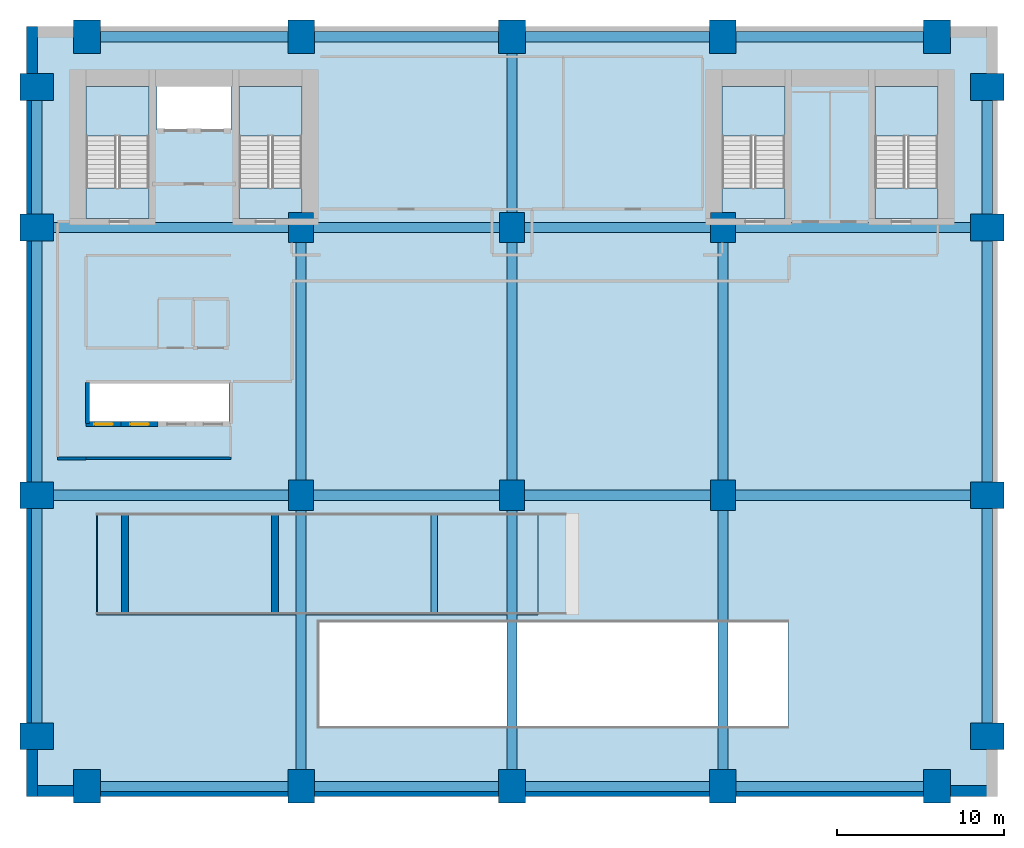
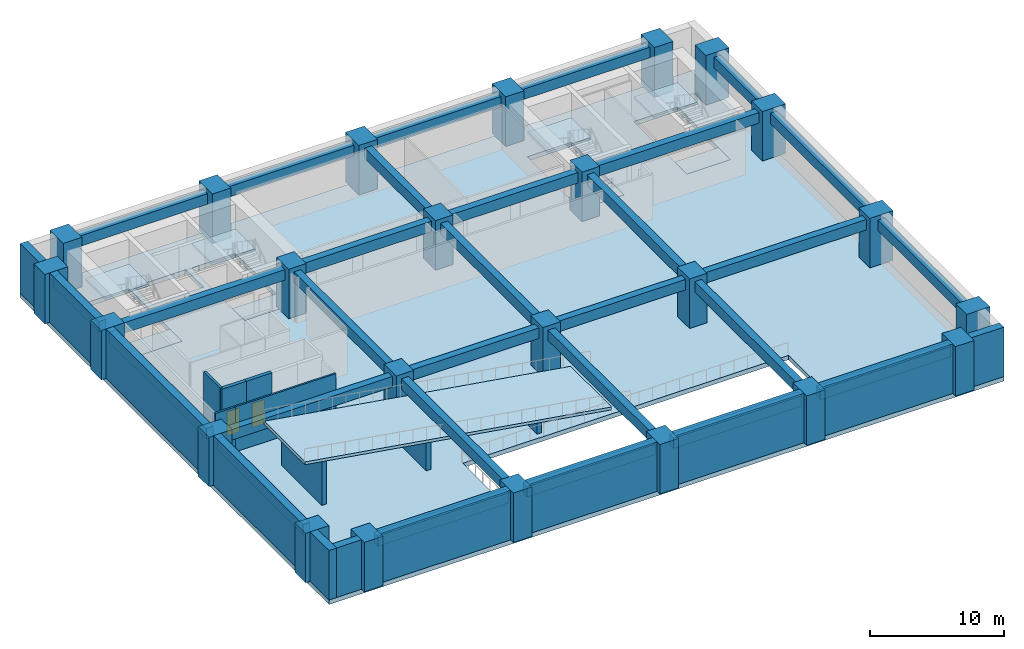
# One storey, part 1 of 6: 29 beams, 24 columns, 10 slabs, 10 walls, 2 doors, 2 openings, 4 elements without a shape of their own.
"""IFC4 building model written with IfcOpenShell, lengths in metres."""

import ifcopenshell
import ifcopenshell.guid

model = None  # the IFC model being written
_history = None  # IfcOwnerHistory: only IFC2X3 demands one
_inside = {}  # id of a spatial element -> (the spatial element, [elements in it])
_under = {}  # id of a project, library or spatial element -> (it, [spatial elements below it])
_declared = {}  # id of a project -> (the project, [libraries it declares])
_typed = {}  # id of a type object -> (the type object, [elements of that type])
_made_of = {}  # id of a material, layer set ... -> (it, [elements and type objects made of it])


def new_model(schema):
    """Start an empty IFC model of exactly this schema.

    Asked for "IFC4X3", IfcOpenShell would pick the latest addendum, in which some entities
    have other attributes; the version numbers below select the first issue.
    IFC2X3 requires an IfcOwnerHistory on every rooted entity: one is made here for all.
    """
    global model, _history
    if schema == "IFC4X3":
        model = ifcopenshell.file(schema_version=(4, 3, 0, 0))
    else:
        model = ifcopenshell.file(schema=schema)
    _inside.clear()
    _under.clear()
    _declared.clear()
    _typed.clear()
    _made_of.clear()
    _history = None
    if model.schema == "IFC2X3":
        org = make("IfcOrganization", Name="unknown")
        user = make(
            "IfcPersonAndOrganization",
            ThePerson=make("IfcPerson", FamilyName="unknown"),
            TheOrganization=org,
        )
        app = make(
            "IfcApplication",
            ApplicationDeveloper=org,
            Version="unknown",
            ApplicationFullName="unknown",
            ApplicationIdentifier="unknown",
        )
        _history = make(
            "IfcOwnerHistory",
            OwningUser=user,
            OwningApplication=app,
            ChangeAction="ADDED",
            CreationDate=0,
        )
    return model


def make(cls, **values):
    """One entity of the class cls with the attributes given. An attribute that is None is left unset."""
    return model.create_entity(
        cls, **{name: value for name, value in values.items() if value is not None}
    )


def rooted(cls, **values):
    """An entity with a GlobalId (a new one), such as an element, a storey or a relation."""
    return make(cls, GlobalId=ifcopenshell.guid.new(), OwnerHistory=_history, **values)


def si_unit(unit_type, name, prefix=None):
    """IfcSIUnit, for example si_unit("LENGTHUNIT", "METRE", prefix="MILLI")."""
    return make("IfcSIUnit", UnitType=unit_type, Prefix=prefix, Name=name)


def assignment(units):
    """IfcUnitAssignment: the units of a project."""
    return None if units is None else make("IfcUnitAssignment", Units=units)


def point(xyz):
    """IfcCartesianPoint."""
    return None if xyz is None else make("IfcCartesianPoint", Coordinates=xyz)


def direction(xyz):
    """IfcDirection."""
    return None if xyz is None else make("IfcDirection", DirectionRatios=xyz)


def frame(location, z_axis=None, x_axis=None):
    """IfcAxis2Placement3D, a coordinate frame: its origin and axes. An axis left out is left unset."""
    return make(
        "IfcAxis2Placement3D",
        Location=point(location),
        Axis=direction(z_axis),
        RefDirection=direction(x_axis),
    )


def frame_2d(location, x_axis=None):
    """IfcAxis2Placement2D, a coordinate frame in the plane: its origin and x axis."""
    return make(
        "IfcAxis2Placement2D", Location=point(location), RefDirection=direction(x_axis)
    )


def origin():
    """The frame at (0, 0, 0) with its axes left unset."""
    return frame((0.0, 0.0, 0.0))


def origin_2d():
    """The frame at (0, 0) in the plane with its x axis left unset."""
    return frame_2d((0.0, 0.0))


def place(relative_to, where):
    """IfcLocalPlacement: puts the frame where relative to a parent placement (None: the world)."""
    return make(
        "IfcLocalPlacement", PlacementRelTo=relative_to, RelativePlacement=where
    )


def context(
    kind, dimensions, precision=None, world=None, true_north=None, identifier=None
):
    """IfcGeometricRepresentationContext, for example the 3D "Model" context."""
    return make(
        "IfcGeometricRepresentationContext",
        ContextIdentifier=identifier,
        ContextType=kind,
        CoordinateSpaceDimension=dimensions,
        Precision=precision,
        WorldCoordinateSystem=world,
        TrueNorth=true_north,
    )


def subcontext(parent, identifier, kind, view, scale=None):
    """IfcGeometricRepresentationSubContext, for example "Body" below "Model"."""
    return make(
        "IfcGeometricRepresentationSubContext",
        ContextIdentifier=identifier,
        ContextType=kind,
        ParentContext=parent,
        TargetScale=scale,
        TargetView=view,
    )


def project(units=None, contexts=None):
    """IfcProject with its units and contexts."""
    return rooted(
        "IfcProject",
        Name="project",
        RepresentationContexts=contexts,
        UnitsInContext=assignment(units),
    )


def spatial(cls, under=None, at=None, **own):
    """A site, building, storey or space (cls), placed at a placement, below another one or the project."""
    s = rooted(cls, ObjectPlacement=at, **own)
    if under is not None:
        _under.setdefault(under.id(), (under, []))[1].append(s)
    return s


def polyline(points):
    """IfcPolyline through the points."""
    return make("IfcPolyline", Points=[point(p) for p in points])


def profile(cls, at=None, kind="AREA", **sizes):
    """A parametric profile (cls). Its sizes go by their IFC names, for example OverallWidth=200.0."""
    return make(cls, ProfileType=kind, Position=at, **sizes)


def rectangle(**sizes):
    """IfcRectangleProfileDef."""
    return profile("IfcRectangleProfileDef", **sizes)


def outline(outer, holes=None, kind="AREA"):
    """IfcArbitraryClosedProfileDef: a profile drawn as a closed curve; with holes, ...WithVoids."""
    if holes is None:
        return make("IfcArbitraryClosedProfileDef", ProfileType=kind, OuterCurve=outer)
    return make(
        "IfcArbitraryProfileDefWithVoids",
        ProfileType=kind,
        OuterCurve=outer,
        InnerCurves=holes,
    )


def extrude(swept, where, along, depth):
    """IfcExtrudedAreaSolid: the profile swept, set in the frame where, extruded along a direction by depth."""
    return make(
        "IfcExtrudedAreaSolid",
        SweptArea=swept,
        Position=where,
        ExtrudedDirection=direction(along),
        Depth=depth,
    )


def shape(context_of_items, identifier, shape_type, items):
    """IfcShapeRepresentation: the items that make up one representation, for example the "Body"."""
    return make(
        "IfcShapeRepresentation",
        ContextOfItems=context_of_items,
        RepresentationIdentifier=identifier,
        RepresentationType=shape_type,
        Items=items,
    )


def material(Name=None, Category=None):
    """IfcMaterial."""
    return make("IfcMaterial", Name=Name, Category=Category)


def layer(
    of_material, thickness, ventilated=None, Name=None, Category=None, Priority=None
):
    """IfcMaterialLayer: one layer of a wall or slab, of a material (None: an air gap)."""
    return make(
        "IfcMaterialLayer",
        Material=of_material,
        LayerThickness=thickness,
        IsVentilated=ventilated,
        Name=Name,
        Category=Category,
        Priority=Priority,
    )


def layer_set(layers, Name=None):
    """IfcMaterialLayerSet."""
    return make("IfcMaterialLayerSet", MaterialLayers=layers, LayerSetName=Name)


def material_profile(
    of_material, cross_section, Name=None, Category=None, Priority=None
):
    """IfcMaterialProfile: a cross section and its material."""
    return make(
        "IfcMaterialProfile",
        Name=Name,
        Material=of_material,
        Profile=cross_section,
        Priority=Priority,
        Category=Category,
    )


def profile_set(profiles, Name=None, composite=None):
    """IfcMaterialProfileSet."""
    return make(
        "IfcMaterialProfileSet",
        Name=Name,
        MaterialProfiles=profiles,
        CompositeProfile=composite,
    )


def made_of(thing, what):
    """Note that an element or type object is made of a material, layer set ...; save() writes the relation."""
    if what is not None:
        _made_of.setdefault(what.id(), (what, []))[1].append(thing)
    return thing


def type_object(cls, material=None, **own):
    """A type object (cls), such as IfcWallType, which elements share."""
    return made_of(rooted(cls, **own), material)


def element(
    cls,
    number,
    at=None,
    inside=None,
    cuts=None,
    type_object=None,
    material=None,
    context=None,
    identifier="Body",
    shape_type=None,
    held_by="IfcProductDefinitionShape",
    body=None,
    shapes=None,
    **own,
):
    """One element of the class cls, such as IfcWall. Its Tag is "e" and its number.

    at: its placement. inside: the storey or other place that contains it. cuts: it is an
    opening in that element (IfcRelVoidsElement). A single representation is given by context,
    identifier, shape_type and body (its items); several are given by shapes. held_by: the class
    of the entity that holds the representations. save() writes the other relations.
    """
    e = rooted(cls, Tag="e%d" % number, ObjectPlacement=at, **own)
    if body is not None:
        shapes = [shape(context, identifier, shape_type, body)]
    if shapes is not None:
        e.Representation = make(held_by, Representations=shapes)
    if inside is not None:
        _inside.setdefault(inside.id(), (inside, []))[1].append(e)
    if cuts is not None:
        rooted(
            "IfcRelVoidsElement", RelatingBuildingElement=cuts, RelatedOpeningElement=e
        )
    if type_object is not None:
        _typed.setdefault(type_object.id(), (type_object, []))[1].append(e)
    return made_of(e, material)


def fill(opening, filler):
    """IfcRelFillsElement: the door or window that sits in an opening."""
    return rooted(
        "IfcRelFillsElement",
        RelatingOpeningElement=opening,
        RelatedBuildingElement=filler,
    )


def aggregate(whole, parts):
    """IfcRelAggregates: a whole, such as a stair, and the parts it consists of."""
    return rooted("IfcRelAggregates", RelatingObject=whole, RelatedObjects=parts)


def save(model, path):
    """Write the relations noted so far, then the file.

    IfcRelAggregates (storeys below a building ...), IfcRelContainedInSpatialStructure (elements
    in a storey), IfcRelDefinesByType, IfcRelAssociatesMaterial and IfcRelDeclares: one each for
    every whole, place, type object, material and project.
    """
    for whole, parts in _under.values():
        aggregate(whole, parts)
    for where, things in _inside.values():
        rooted(
            "IfcRelContainedInSpatialStructure",
            RelatedElements=things,
            RelatingStructure=where,
        )
    for kind, things in _typed.values():
        rooted("IfcRelDefinesByType", RelatedObjects=things, RelatingType=kind)
    for what, things in _made_of.values():
        rooted("IfcRelAssociatesMaterial", RelatedObjects=things, RelatingMaterial=what)
    for by, libraries in _declared.values():
        rooted("IfcRelDeclares", RelatingContext=by, RelatedDefinitions=libraries)
    model.write(path)


model = new_model("IFC4")

# Units and contexts
model_context = context("Model", 3, precision=1e-05, world=origin(), true_north=direction((0.0, 1.0)))
body_context = subcontext(model_context, "Body", "Model", "MODEL_VIEW")
ifc_project = project(units=[si_unit("LENGTHUNIT", "METRE"), si_unit("AREAUNIT", "SQUARE_METRE"), si_unit("VOLUMEUNIT", "CUBIC_METRE"), si_unit("PLANEANGLEUNIT", "RADIAN"), si_unit("MASSUNIT", "GRAM", prefix="KILO")], contexts=[model_context])

# Site, building, storey
site_placement = place(None, origin())
site = spatial("IfcSite", under=ifc_project, at=site_placement, CompositionType="ELEMENT")
building_placement = place(site_placement, origin())
building = spatial("IfcBuilding", under=site, at=building_placement, Name="Sulina Concourse Tower", CompositionType="ELEMENT")
storey_placement = place(building_placement, frame((0.0, 0.0, -4.5)))
storey = spatial("IfcBuildingStorey", under=building, at=storey_placement, Name="B1", CompositionType="ELEMENT", Elevation=-4.5)

# Columns
ifc_material_1 = material(Name="Concrete C80/95", Category="concrete")
ifc_material_profile_1 = material_profile(ifc_material_1, rectangle(XDim=1.5, YDim=1.800048828125, at=origin_2d()), Name="RC 1500x1800")
ifc_profile_set_1 = profile_set([ifc_material_profile_1], Name="Concrete C80/95")
column_type_1 = type_object("IfcColumnType", Name="Station Concourse Mega-Column 1500x1800", PredefinedType="COLUMN", material=ifc_profile_set_1)
for number, where, z_axis, x_axis, name in (
    (1, (16.39990234375, 18.0, 0.0), (0.0, 0.0, 1.0), (1.0, 0.0, 0.0), "B1 structural column MC-M1"),
    (2, (16.39990234375, 34.0, 0.0), (0.0, 0.0, 1.0), (1.0, 0.0, 0.0), "B1 structural column MC-C1"),
    (3, (29.0, 18.0, 0.0), (0.0, 0.0, 1.0), (1.0, 0.0, 0.0), "B1 structural column MC-M2"),
    (4, (29.0, 34.0, 0.0), (0.0, 0.0, 1.0), (1.0, 0.0, 0.0), "B1 structural column MC-C2"),
    (5, (41.60009765625, 18.0, 0.0), (0.0, 0.0, 1.0), (1.0, 0.0, 0.0), "B1 structural column MC-M3"),
    (6, (41.60009765625, 34.0, 0.0), (0.0, 0.0, 1.0), (1.0, 0.0, 0.0), "B1 structural column MC-C3"),
):
    element("IfcColumn", number, at=place(storey_placement, frame(where, z_axis=z_axis, x_axis=x_axis)), inside=storey, type_object=column_type_1, Name=name, PredefinedType="COLUMN", context=body_context, shape_type="SweptSolid", body=[
        extrude(rectangle(XDim=1.5, YDim=1.800048828125, at=origin_2d()), origin(), (0.0, 0.0, 1.0), 4.5),
    ])
ifc_material_2 = material(Name="Concrete C80/95", Category="concrete")
ifc_material_profile_2 = material_profile(ifc_material_2, rectangle(XDim=1.60009765625, YDim=2.0, at=origin_2d()), Name="RC 1600x2000")
ifc_profile_set_2 = profile_set([ifc_material_profile_2], Name="Concrete C80/95")
column_type_2 = type_object("IfcColumnType", Name="Station Concourse Mega-Column 1600x2000", PredefinedType="COLUMN", material=ifc_profile_set_2)
for number, where, z_axis, x_axis, name in (
    (7, (3.60009765625, 0.60009765625, 0.0), (0.0, 0.0, 1.0), (1.0, 0.0, 0.0), "B1 structural column MC-S1"),
    (8, (3.60009765625, 45.39990234375, 0.0), (0.0, 0.0, 1.0), (1.0, 0.0, 0.0), "B1 structural column MC-N1"),
    (9, (16.39990234375, 0.60009765625, 0.0), (0.0, 0.0, 1.0), (1.0, 0.0, 0.0), "B1 structural column MC-S2"),
    (10, (16.39990234375, 45.39990234375, 0.0), (0.0, 0.0, 1.0), (1.0, 0.0, 0.0), "B1 structural column MC-N2"),
    (11, (29.0, 0.60009765625, 0.0), (0.0, 0.0, 1.0), (1.0, 0.0, 0.0), "B1 structural column MC-S3"),
    (12, (29.0, 45.39990234375, 0.0), (0.0, 0.0, 1.0), (1.0, 0.0, 0.0), "B1 structural column MC-N3"),
    (13, (41.60009765625, 0.60009765625, 0.0), (0.0, 0.0, 1.0), (1.0, 0.0, 0.0), "B1 structural column MC-S4"),
    (14, (41.60009765625, 45.39990234375, 0.0), (0.0, 0.0, 1.0), (1.0, 0.0, 0.0), "B1 structural column MC-N4"),
    (15, (54.39990234375, 0.60009765625, 0.0), (0.0, 0.0, 1.0), (1.0, 0.0, 0.0), "B1 structural column MC-S5"),
    (16, (54.39990234375, 45.39990234375, 0.0), (0.0, 0.0, 1.0), (1.0, 0.0, 0.0), "B1 structural column MC-N5"),
    (17, (0.60009765625, 3.60009765625, 0.0), (0.0, 0.0, 1.0), (0.0, 1.0, 0.0), "B1 structural column MC-W1"),
    (18, (57.39990234375, 3.60009765625, 0.0), (0.0, 0.0, 1.0), (0.0, 1.0, 0.0), "B1 structural column MC-E1"),
    (19, (0.60009765625, 18.0, 0.0), (0.0, 0.0, 1.0), (0.0, 1.0, 0.0), "B1 structural column MC-W2"),
    (20, (57.39990234375, 18.0, 0.0), (0.0, 0.0, 1.0), (0.0, 1.0, 0.0), "B1 structural column MC-E2"),
    (21, (0.60009765625, 34.0, 0.0), (0.0, 0.0, 1.0), (0.0, 1.0, 0.0), "B1 structural column MC-W3"),
    (22, (57.39990234375, 34.0, 0.0), (0.0, 0.0, 1.0), (0.0, 1.0, 0.0), "B1 structural column MC-E3"),
    (23, (0.60009765625, 42.39990234375, 0.0), (0.0, 0.0, 1.0), (0.0, 1.0, 0.0), "B1 structural column MC-W4"),
    (24, (57.39990234375, 42.39990234375, 0.0), (0.0, 0.0, 1.0), (0.0, 1.0, 0.0), "B1 structural column MC-E4"),
):
    element("IfcColumn", number, at=place(storey_placement, frame(where, z_axis=z_axis, x_axis=x_axis)), inside=storey, type_object=column_type_2, Name=name, PredefinedType="COLUMN", context=body_context, shape_type="SweptSolid", body=[
        extrude(rectangle(XDim=1.60009765625, YDim=2.0, at=origin_2d()), origin(), (0.0, 0.0, 1.0), 4.5),
    ])

# Beams
ifc_material_3 = material(Name="Concrete C60/75", Category="concrete")
ifc_material_profile_3 = material_profile(ifc_material_3, rectangle(XDim=0.60009765625, YDim=0.949951171875, at=origin_2d()), Name="RC 600x950")
ifc_profile_set_3 = profile_set([ifc_material_profile_3], Name="Concrete C60/75")
beam_type = type_object("IfcBeamType", Name="Basement & Podium Primary Beam 600x950", PredefinedType="BEAM", material=ifc_profile_set_3)
for number, where, z_axis, x_axis, name in (
    (25, (4.3798828125, 0.60009765625, 3.625), (1.0, 0.0, 0.0), (0.0, 1.0, 0.0), "PB-S1-B1"),
    (26, (4.3798828125, 45.39990234375, 3.625), (1.0, 0.0, 0.0), (0.0, 1.0, 0.0), "PB-N1-B1"),
):
    element("IfcBeam", number, at=place(storey_placement, frame(where, z_axis=z_axis, x_axis=x_axis)), inside=storey, type_object=beam_type, Name=name, PredefinedType="BEAM", context=body_context, shape_type="SweptSolid", body=[
        extrude(rectangle(XDim=0.60009765625, YDim=0.949951171875, at=origin_2d()), origin(), (0.0, 0.0, 1.0), 11.240234375),
    ])
for number, where, z_axis, x_axis, name in (
    (27, (1.3798828125, 18.0, 3.625), (1.0, 0.0, 0.0), (0.0, 1.0, 0.0), "PB-M0-B1"),
    (28, (1.3798828125, 34.0, 3.625), (1.0, 0.0, 0.0), (0.0, 1.0, 0.0), "PB-C0-B1"),
):
    element("IfcBeam", number, at=place(storey_placement, frame(where, z_axis=z_axis, x_axis=x_axis)), inside=storey, type_object=beam_type, Name=name, PredefinedType="BEAM", context=body_context, shape_type="SweptSolid", body=[
        extrude(rectangle(XDim=0.60009765625, YDim=0.949951171875, at=origin_2d()), origin(), (0.0, 0.0, 1.0), 14.2900390625),
    ])
for number, where, z_axis, x_axis, name in (
    (29, (17.179931640625, 0.60009765625, 3.625), (1.0, 0.0, 0.0), (0.0, 1.0, 0.0), "PB-S2-B1"),
    (30, (17.179931640625, 45.39990234375, 3.625), (1.0, 0.0, 0.0), (0.0, 1.0, 0.0), "PB-N2-B1"),
):
    element("IfcBeam", number, at=place(storey_placement, frame(where, z_axis=z_axis, x_axis=x_axis)), inside=storey, type_object=beam_type, Name=name, PredefinedType="BEAM", context=body_context, shape_type="SweptSolid", body=[
        extrude(rectangle(XDim=0.60009765625, YDim=0.949951171875, at=origin_2d()), origin(), (0.0, 0.0, 1.0), 11.0400390625),
    ])
for number, where, z_axis, x_axis, name in (
    (31, (17.1298828125, 18.0, 3.625), (1.0, 0.0, 0.0), (0.0, 1.0, 0.0), "PB-M2-B1"),
    (32, (17.1298828125, 34.0, 3.625), (1.0, 0.0, 0.0), (0.0, 1.0, 0.0), "PB-C2-B1"),
):
    element("IfcBeam", number, at=place(storey_placement, frame(where, z_axis=z_axis, x_axis=x_axis)), inside=storey, type_object=beam_type, Name=name, PredefinedType="BEAM", context=body_context, shape_type="SweptSolid", body=[
        extrude(rectangle(XDim=0.60009765625, YDim=0.949951171875, at=origin_2d()), origin(), (0.0, 0.0, 1.0), 11.14013671875),
    ])
for number, where, z_axis, x_axis, name in (
    (33, (29.780029296875, 0.60009765625, 3.625), (1.0, 0.0, 0.0), (0.0, 1.0, 0.0), "PB-S3-B1"),
    (34, (29.780029296875, 45.39990234375, 3.625), (1.0, 0.0, 0.0), (0.0, 1.0, 0.0), "PB-N3-B1"),
):
    element("IfcBeam", number, at=place(storey_placement, frame(where, z_axis=z_axis, x_axis=x_axis)), inside=storey, type_object=beam_type, Name=name, PredefinedType="BEAM", context=body_context, shape_type="SweptSolid", body=[
        extrude(rectangle(XDim=0.60009765625, YDim=0.949951171875, at=origin_2d()), origin(), (0.0, 0.0, 1.0), 11.0400390625),
    ])
for number, where, z_axis, x_axis, name in (
    (35, (29.72998046875, 18.0, 3.625), (1.0, 0.0, 0.0), (0.0, 1.0, 0.0), "PB-M3-B1"),
    (36, (29.72998046875, 34.0, 3.625), (1.0, 0.0, 0.0), (0.0, 1.0, 0.0), "PB-C3-B1"),
):
    element("IfcBeam", number, at=place(storey_placement, frame(where, z_axis=z_axis, x_axis=x_axis)), inside=storey, type_object=beam_type, Name=name, PredefinedType="BEAM", context=body_context, shape_type="SweptSolid", body=[
        extrude(rectangle(XDim=0.60009765625, YDim=0.949951171875, at=origin_2d()), origin(), (0.0, 0.0, 1.0), 11.14013671875),
    ])
for number, where, z_axis, x_axis, name in (
    (37, (42.3798828125, 0.60009765625, 3.625), (1.0, 0.0, 0.0), (0.0, 1.0, 0.0), "PB-S4-B1"),
    (38, (42.3798828125, 45.39990234375, 3.625), (1.0, 0.0, 0.0), (0.0, 1.0, 0.0), "PB-N4-B1"),
):
    element("IfcBeam", number, at=place(storey_placement, frame(where, z_axis=z_axis, x_axis=x_axis)), inside=storey, type_object=beam_type, Name=name, PredefinedType="BEAM", context=body_context, shape_type="SweptSolid", body=[
        extrude(rectangle(XDim=0.60009765625, YDim=0.949951171875, at=origin_2d()), origin(), (0.0, 0.0, 1.0), 11.240234375),
    ])
for number, where, z_axis, x_axis, name in (
    (39, (42.330078125, 18.0, 3.625), (1.0, 0.0, 0.0), (0.0, 1.0, 0.0), "PB-M5-B1"),
    (40, (42.330078125, 34.0, 3.625), (1.0, 0.0, 0.0), (0.0, 1.0, 0.0), "PB-C5-B1"),
):
    element("IfcBeam", number, at=place(storey_placement, frame(where, z_axis=z_axis, x_axis=x_axis)), inside=storey, type_object=beam_type, Name=name, PredefinedType="BEAM", context=body_context, shape_type="SweptSolid", body=[
        extrude(rectangle(XDim=0.60009765625, YDim=0.949951171875, at=origin_2d()), origin(), (0.0, 0.0, 1.0), 14.2900390625),
    ])
for number, where, z_axis, x_axis, name in (
    (41, (0.60009765625, 4.3798828125, 3.625), (0.0, 1.0, 0.0), (-1.0, 0.0, 0.0), "PB-W1-B1"),
    (42, (57.39990234375, 4.3798828125, 3.625), (0.0, 1.0, 0.0), (-1.0, 0.0, 0.0), "PB-E1-B1"),
):
    element("IfcBeam", number, at=place(storey_placement, frame(where, z_axis=z_axis, x_axis=x_axis)), inside=storey, type_object=beam_type, Name=name, PredefinedType="BEAM", context=body_context, shape_type="SweptSolid", body=[
        extrude(rectangle(XDim=0.60009765625, YDim=0.949951171875, at=origin_2d()), origin(), (0.0, 0.0, 1.0), 12.840087890625),
    ])
for number, where, z_axis, x_axis, name in (
    (43, (0.60009765625, 18.780029296875, 3.625), (0.0, 1.0, 0.0), (-1.0, 0.0, 0.0), "PB-W2-B1"),
    (44, (57.39990234375, 18.780029296875, 3.625), (0.0, 1.0, 0.0), (-1.0, 0.0, 0.0), "PB-E2-B1"),
):
    element("IfcBeam", number, at=place(storey_placement, frame(where, z_axis=z_axis, x_axis=x_axis)), inside=storey, type_object=beam_type, Name=name, PredefinedType="BEAM", context=body_context, shape_type="SweptSolid", body=[
        extrude(rectangle(XDim=0.60009765625, YDim=0.949951171875, at=origin_2d()), origin(), (0.0, 0.0, 1.0), 14.43994140625),
    ])
for number, where, z_axis, x_axis, name in (
    (45, (0.60009765625, 34.780029296875, 3.625), (0.0, 1.0, 0.0), (-1.0, 0.0, 0.0), "PB-W3-B1"),
    (46, (57.39990234375, 34.780029296875, 3.625), (0.0, 1.0, 0.0), (-1.0, 0.0, 0.0), "PB-E3-B1"),
):
    element("IfcBeam", number, at=place(storey_placement, frame(where, z_axis=z_axis, x_axis=x_axis)), inside=storey, type_object=beam_type, Name=name, PredefinedType="BEAM", context=body_context, shape_type="SweptSolid", body=[
        extrude(rectangle(XDim=0.60009765625, YDim=0.949951171875, at=origin_2d()), origin(), (0.0, 0.0, 1.0), 6.840087890625),
    ])
beam_1_placement = place(storey_placement, frame((16.39990234375, 1.3798828125, 3.625), z_axis=(0.0, 1.0, 0.0), x_axis=(-1.0, 0.0, 0.0)))
element("IfcBeam", 47, at=beam_1_placement, inside=storey, type_object=beam_type, Name="PB-NS1A-B1", PredefinedType="BEAM", context=body_context, shape_type="SweptSolid", body=[
    extrude(rectangle(XDim=0.60009765625, YDim=0.949951171875, at=origin_2d()), origin(), (0.0, 0.0, 1.0), 15.89013671875),
])
beam_2_placement = place(storey_placement, frame((16.39990234375, 18.72998046875, 3.625), z_axis=(0.0, 1.0, 0.0), x_axis=(-1.0, 0.0, 0.0)))
element("IfcBeam", 48, at=beam_2_placement, inside=storey, type_object=beam_type, Name="PB-NS1B-B1", PredefinedType="BEAM", context=body_context, shape_type="SweptSolid", body=[
    extrude(rectangle(XDim=0.60009765625, YDim=0.949951171875, at=origin_2d()), origin(), (0.0, 0.0, 1.0), 14.5400390625),
])
beam_3_placement = place(storey_placement, frame((29.0, 1.3798828125, 3.625), z_axis=(0.0, 1.0, 0.0), x_axis=(-1.0, 0.0, 0.0)))
element("IfcBeam", 49, at=beam_3_placement, inside=storey, type_object=beam_type, Name="PB-NS2A-B1", PredefinedType="BEAM", context=body_context, shape_type="SweptSolid", body=[
    extrude(rectangle(XDim=0.60009765625, YDim=0.949951171875, at=origin_2d()), origin(), (0.0, 0.0, 1.0), 15.89013671875),
])
beam_4_placement = place(storey_placement, frame((29.0, 18.72998046875, 3.625), z_axis=(0.0, 1.0, 0.0), x_axis=(-1.0, 0.0, 0.0)))
element("IfcBeam", 50, at=beam_4_placement, inside=storey, type_object=beam_type, Name="PB-NS2B-B1", PredefinedType="BEAM", context=body_context, shape_type="SweptSolid", body=[
    extrude(rectangle(XDim=0.60009765625, YDim=0.949951171875, at=origin_2d()), origin(), (0.0, 0.0, 1.0), 14.5400390625),
])
beam_5_placement = place(storey_placement, frame((29.0, 34.72998046875, 3.625), z_axis=(0.0, 1.0, 0.0), x_axis=(-1.0, 0.0, 0.0)))
element("IfcBeam", 51, at=beam_5_placement, inside=storey, type_object=beam_type, Name="PB-NS2C-B1", PredefinedType="BEAM", context=body_context, shape_type="SweptSolid", body=[
    extrude(rectangle(XDim=0.60009765625, YDim=0.949951171875, at=origin_2d()), origin(), (0.0, 0.0, 1.0), 9.89013671875),
])
beam_6_placement = place(storey_placement, frame((41.60009765625, 1.3798828125, 3.625), z_axis=(0.0, 1.0, 0.0), x_axis=(-1.0, 0.0, 0.0)))
element("IfcBeam", 52, at=beam_6_placement, inside=storey, type_object=beam_type, Name="PB-NS3A-B1", PredefinedType="BEAM", context=body_context, shape_type="SweptSolid", body=[
    extrude(rectangle(XDim=0.60009765625, YDim=0.949951171875, at=origin_2d()), origin(), (0.0, 0.0, 1.0), 15.89013671875),
])
beam_7_placement = place(storey_placement, frame((41.60009765625, 18.72998046875, 3.625), z_axis=(0.0, 1.0, 0.0), x_axis=(-1.0, 0.0, 0.0)))
element("IfcBeam", 53, at=beam_7_placement, inside=storey, type_object=beam_type, Name="PB-NS3B-B1", PredefinedType="BEAM", context=body_context, shape_type="SweptSolid", body=[
    extrude(rectangle(XDim=0.60009765625, YDim=0.949951171875, at=origin_2d()), origin(), (0.0, 0.0, 1.0), 14.5400390625),
])

# Slabs
ifc_material_4 = material(Name="Concrete C50/60", Category="concrete")
ifc_layer_1 = layer(ifc_material_4, 0.25)
ifc_layer_set_1 = layer_set([ifc_layer_1], Name="Concrete C50/60")
slab_type_1 = type_object("IfcSlabType", Name="High-Rise Composite Floor Slab 250mm", PredefinedType="FLOOR", material=ifc_layer_set_1)
slab_1_placement = place(storey_placement, frame((30.550048828125, 10.85009765625, 0.26513671875), z_axis=(0.158680645189, 0.0, 0.987329961483), x_axis=(0.0, 1.0, 0.0)))
element("IfcSlab", 54, at=slab_1_placement, inside=storey, type_object=slab_type_1, Name="B1 structural concrete vehicle ramp slab RMP-VEH-B1", PredefinedType="FLOOR", context=body_context, shape_type="SweptSolid", body=[
    extrude(outline(polyline([(0.0, 0.0), (6.099853515625, 0.0), (6.099853515625, 26.667962233667065), (0.0, 26.667962233667065), (0.0, 0.0)])), origin(), (0.0, 0.0, -1.0), 0.25),
])
ifc_material_5 = material(Name="Concrete C50/60", Category="concrete")
ifc_layer_2 = layer(ifc_material_5, 0.199951171875)
ifc_layer_set_2 = layer_set([ifc_layer_2], Name="Concrete C50/60")
slab_type_2 = type_object("IfcSlabType", Name="Primary Core Stair Landing Slab 200mm", PredefinedType="LANDING", material=ifc_layer_set_2)
slab_2_placement = place(storey_placement, frame((0.0, 0.0, -0.199951171875)))
element("IfcSlab", 55, at=slab_2_placement, inside=storey, type_object=slab_type_2, Name="B1 ST-1 floor landing slab", PredefinedType="LANDING", context=body_context, shape_type="SweptSolid", body=[
    extrude(outline(polyline([(7.31005859375, 34.550048828125), (7.31005859375, 36.375), (3.550048828125, 36.375), (3.550048828125, 34.550048828125), (7.31005859375, 34.550048828125)])), origin(), (0.0, 0.0, 1.0), 0.199951171875),
])
slab_3_placement = place(storey_placement, frame((0.0, 0.0, -0.199951171875)))
element("IfcSlab", 56, at=slab_3_placement, inside=storey, type_object=slab_type_2, Name="B1 ST-2 floor landing slab", PredefinedType="LANDING", context=body_context, shape_type="SweptSolid", body=[
    extrude(outline(polyline([(16.449951171875, 34.550048828125), (16.449951171875, 36.375), (12.68994140625, 36.375), (12.68994140625, 34.550048828125), (16.449951171875, 34.550048828125)])), origin(), (0.0, 0.0, 1.0), 0.199951171875),
])
slab_4_placement = place(storey_placement, frame((0.0, 0.0, -0.199951171875)))
element("IfcSlab", 57, at=slab_4_placement, inside=storey, type_object=slab_type_2, Name="B1 ST-3 floor landing slab", PredefinedType="LANDING", context=body_context, shape_type="SweptSolid", body=[
    extrude(outline(polyline([(45.31005859375, 34.550048828125), (45.31005859375, 36.375), (41.550048828125, 36.375), (41.550048828125, 34.550048828125), (45.31005859375, 34.550048828125)])), origin(), (0.0, 0.0, 1.0), 0.199951171875),
])
slab_5_placement = place(storey_placement, frame((0.0, 0.0, -0.199951171875)))
element("IfcSlab", 58, at=slab_5_placement, inside=storey, type_object=slab_type_2, Name="B1 ST-4 floor landing slab", PredefinedType="LANDING", context=body_context, shape_type="SweptSolid", body=[
    extrude(outline(polyline([(54.449951171875, 34.550048828125), (54.449951171875, 36.375), (50.68994140625, 36.375), (50.68994140625, 34.550048828125), (54.449951171875, 34.550048828125)])), origin(), (0.0, 0.0, 1.0), 0.199951171875),
])

# Stair, slab
ifc_material_6 = material(Name="Concrete C50/60", Category="concrete")
stair_type_1 = type_object("IfcStairType", Name="Primary Core Dog-Leg Exit Stair 1800mm", PredefinedType="HALF_TURN_STAIR", material=ifc_material_6)
stair_1_placement = place(storey_placement, origin())
stair_1 = element("IfcStair", 59, at=stair_1_placement, inside=storey, type_object=stair_type_1, Name="B1 ST-1", PredefinedType="HALF_TURN_STAIR")
slab_6_placement = place(storey_placement, frame((0.0, 0.0, 2.050048828125)))
slab_6 = element("IfcSlab", 60, at=slab_6_placement, type_object=slab_type_2, Name="ST-1 landing 1", PredefinedType="LANDING", context=body_context, shape_type="SweptSolid", body=[
    extrude(outline(polyline([(7.304931640625, 39.455078125), (7.304931640625, 42.425048828125), (3.554931640625, 42.425048828125), (3.554931640625, 39.455078125), (7.304931640625, 39.455078125)])), origin(), (0.0, 0.0, 1.0), 0.199951171875),
])
aggregate(stair_1, [slab_6])

stair_2_placement = place(storey_placement, origin())
stair_2 = element("IfcStair", 61, at=stair_2_placement, inside=storey, type_object=stair_type_1, Name="B1 ST-2", PredefinedType="HALF_TURN_STAIR")
slab_7_placement = place(storey_placement, frame((0.0, 0.0, 2.050048828125)))
slab_7 = element("IfcSlab", 62, at=slab_7_placement, type_object=slab_type_2, Name="ST-2 landing 1", PredefinedType="LANDING", context=body_context, shape_type="SweptSolid", body=[
    extrude(outline(polyline([(16.445068359375, 39.455078125), (16.445068359375, 42.425048828125), (12.695068359375, 42.425048828125), (12.695068359375, 39.455078125), (16.445068359375, 39.455078125)])), origin(), (0.0, 0.0, 1.0), 0.199951171875),
])
aggregate(stair_2, [slab_7])

ifc_material_7 = material(Name="Concrete C50/60", Category="concrete")
stair_type_2 = type_object("IfcStairType", Name="Portal & Podium Core Exit Stair 1820mm", PredefinedType="HALF_TURN_STAIR", material=ifc_material_7)
stair_3_placement = place(storey_placement, origin())
stair_3 = element("IfcStair", 63, at=stair_3_placement, inside=storey, type_object=stair_type_2, Name="B1 ST-3", PredefinedType="HALF_TURN_STAIR")
slab_8_placement = place(storey_placement, frame((0.0, 0.0, 2.050048828125)))
slab_8 = element("IfcSlab", 64, at=slab_8_placement, type_object=slab_type_2, Name="ST-3 landing 1", PredefinedType="LANDING", context=body_context, shape_type="SweptSolid", body=[
    extrude(outline(polyline([(45.304931640625, 39.455078125), (45.304931640625, 42.425048828125), (41.554931640625, 42.425048828125), (41.554931640625, 39.455078125), (45.304931640625, 39.455078125)])), origin(), (0.0, 0.0, 1.0), 0.199951171875),
])
aggregate(stair_3, [slab_8])

stair_4_placement = place(storey_placement, origin())
stair_4 = element("IfcStair", 65, at=stair_4_placement, inside=storey, type_object=stair_type_2, Name="B1 ST-4", PredefinedType="HALF_TURN_STAIR")
slab_9_placement = place(storey_placement, frame((0.0, 0.0, 2.050048828125)))
slab_9 = element("IfcSlab", 66, at=slab_9_placement, type_object=slab_type_2, Name="ST-4 landing 1", PredefinedType="LANDING", context=body_context, shape_type="SweptSolid", body=[
    extrude(outline(polyline([(54.445068359375, 39.455078125), (54.445068359375, 42.425048828125), (50.695068359375, 42.425048828125), (50.695068359375, 39.455078125), (54.445068359375, 39.455078125)])), origin(), (0.0, 0.0, 1.0), 0.199951171875),
])
aggregate(stair_4, [slab_9])

# Slab
ifc_material_8 = material(Name="Concrete C60/75", Category="concrete")
ifc_layer_3 = layer(ifc_material_8, 0.39990234375)
ifc_layer_set_3 = layer_set([ifc_layer_3], Name="Concrete C60/75")
slab_type_3 = type_object("IfcSlabType", Name="Station Concourse & Transfer Slab 400mm", PredefinedType="FLOOR", material=ifc_layer_set_3)
slab_10_placement = place(storey_placement, frame((0.0, 0.0, -0.39990234375)))
element("IfcSlab", 67, at=slab_10_placement, inside=storey, type_object=slab_type_3, Name="B1 structural floor slab", PredefinedType="FLOOR", context=body_context, shape_type="SweptSolid", body=[
    extrude(outline(polyline([(0.0, 0.0), (58.0, 0.0), (58.0, 46.0), (0.0, 46.0), (0.0, 0.0)]), holes=[polyline([(7.31005859375, 34.550048828125), (7.31005859375, 42.429931640625), (3.550048828125, 42.429931640625), (3.550048828125, 34.550048828125), (7.31005859375, 34.550048828125)]), polyline([(16.449951171875, 34.550048828125), (16.449951171875, 42.429931640625), (12.68994140625, 42.429931640625), (12.68994140625, 34.550048828125), (16.449951171875, 34.550048828125)]), polyline([(45.31005859375, 34.550048828125), (45.31005859375, 42.429931640625), (41.550048828125, 42.429931640625), (41.550048828125, 34.550048828125), (45.31005859375, 34.550048828125)]), polyline([(54.449951171875, 34.550048828125), (54.449951171875, 42.429931640625), (50.68994140625, 42.429931640625), (50.68994140625, 34.550048828125), (54.449951171875, 34.550048828125)]), polyline([(17.5, 4.199951171875), (45.5, 4.199951171875), (45.5, 10.39990234375), (17.5, 10.39990234375), (17.5, 4.199951171875)]), polyline([(7.780029296875, 39.830078125), (12.219970703125, 39.830078125), (12.219970703125, 42.449951171875), (7.780029296875, 42.449951171875), (7.780029296875, 39.830078125)]), polyline([(3.739990234375, 22.280029296875), (12.10009765625, 22.280029296875), (12.10009765625, 24.77001953125), (3.739990234375, 24.77001953125), (3.739990234375, 22.280029296875)])]), origin(), (0.0, 0.0, 1.0), 0.39990234375),
])

# Walls
ifc_material_9 = material(Name="Concrete C50/60", Category="concrete")
ifc_layer_4 = layer(ifc_material_9, 0.64990234375)
ifc_layer_set_4 = layer_set([ifc_layer_4], Name="Concrete C50/60")
wall_type_1 = type_object("IfcWallType", Name="Basement Perimeter Retaining Wall 650mm", PredefinedType="SOLIDWALL", material=ifc_layer_set_4)
wall_1_placement = place(storey_placement, frame((58.0, 0.324951171875, 0.0), z_axis=(0.0, 0.0, 1.0), x_axis=(-1.0, 0.0, 0.0)))
element("IfcWall", 68, at=wall_1_placement, inside=storey, type_object=wall_type_1, Name="B1 basement retaining wall RW-S", PredefinedType="SOLIDWALL", context=body_context, shape_type="SweptSolid", body=[
    extrude(rectangle(XDim=58.0, YDim=0.64990234375, at=frame_2d((29.0, 0.0))), origin(), (0.0, 0.0, 1.0), 4.5),
])
wall_2_placement = place(storey_placement, frame((0.324951171875, 0.0, 0.0), z_axis=(0.0, 0.0, 1.0), x_axis=(0.0, 1.0, 0.0)))
element("IfcWall", 69, at=wall_2_placement, inside=storey, type_object=wall_type_1, Name="B1 basement retaining wall RW-W", PredefinedType="SOLIDWALL", context=body_context, shape_type="SweptSolid", body=[
    extrude(rectangle(XDim=46.0, YDim=0.64990234375, at=frame_2d((23.0, 0.0))), origin(), (0.0, 0.0, 1.0), 4.5),
])
ifc_material_10 = material(Name="Concrete C50/60", Category="concrete")
ifc_layer_5 = layer(ifc_material_10, 0.219970703125)
ifc_layer_set_5 = layer_set([ifc_layer_5], Name="Concrete C50/60")
wall_type_2 = type_object("IfcWallType", Name="Core Lift Hoistway Divider Wall 220mm", PredefinedType="SOLIDWALL", material=ifc_layer_set_5)
wall_3_placement = place(storey_placement, frame((3.6298828125, 22.300048828125, 0.0), z_axis=(0.0, 0.0, 1.0), x_axis=(0.0, 1.0, 0.0)))
element("IfcWall", 70, at=wall_3_placement, inside=storey, type_object=wall_type_2, Name="B1 shaft divider wall HW-LP1-W", PredefinedType="SOLIDWALL", context=body_context, shape_type="SweptSolid", body=[
    extrude(rectangle(XDim=2.449951171875, YDim=0.219970703125, at=frame_2d((1.22509765625, 0.0))), origin(), (0.0, 0.0, 1.0), 4.5),
])

# Wall, opening, door
ifc_material_11 = material(Name="Concrete C50/60", Category="concrete")
ifc_layer_6 = layer(ifc_material_11, 0.300048828125)
ifc_layer_set_6 = layer_set([ifc_layer_6], Name="Concrete C50/60")
wall_type_3 = type_object("IfcWallType", Name="Core Lift Hoistway Wall 300mm", PredefinedType="SOLIDWALL", material=ifc_layer_set_6)
wall_4_placement = place(storey_placement, frame((5.64990234375, 22.25, 0.0), z_axis=(0.0, 0.0, 1.0), x_axis=(-1.0, 0.0, 0.0)))
wall_4 = element("IfcWall", 71, at=wall_4_placement, inside=storey, type_object=wall_type_3, Name="B1 hoistway enclosure wall LP-01", PredefinedType="SOLIDWALL", context=body_context, shape_type="SweptSolid", body=[
    extrude(rectangle(XDim=2.099853515625, YDim=0.300048828125, at=frame_2d((1.0498046875, 0.0))), origin(), (0.0, 0.0, 1.0), 4.5),
])
opening_1_placement = place(wall_4_placement, frame((0.5, 0.0, 0.0)))
opening_1 = element("IfcOpeningElement", 72, at=opening_1_placement, cuts=wall_4, Name="Opening LD-01", PredefinedType="OPENING", context=body_context, shape_type="SweptSolid", body=[
    extrude(rectangle(XDim=1.10009765625, YDim=2.199951171875, at=frame_2d((0.550048828125, 1.10009765625))), frame((0.0, 0.159912109375, 0.0), z_axis=(0.0, -1.0, 0.0), x_axis=(1.0, 0.0, 0.0)), (0.0, 0.0, 1.0), 0.320068359375),
])
ifc_material_12 = material(Name="Stainless steel lift landing door", Category="steel")
ifc_layer_7 = layer(ifc_material_12, 0.050048828125)
ifc_layer_set_7 = layer_set([ifc_layer_7], Name="Stainless steel lift landing door")
door_type = type_object("IfcDoorType", Name="Passenger Lift Sliding Landing Door 1100x2200", OperationType="SLIDING_TO_LEFT", PredefinedType="DOOR", material=ifc_layer_set_7)
door_1_placement = place(opening_1_placement, origin())
door_1 = element("IfcDoor", 73, at=door_1_placement, inside=storey, type_object=door_type, Name="B1 lift landing sliding door LP-01", OperationType="SLIDING_TO_LEFT", OverallHeight=2.199951171875, OverallWidth=1.10009765625, PredefinedType="DOOR", context=body_context, shape_type="SweptSolid", body=[
    extrude(rectangle(XDim=1.10009765625, YDim=2.199951171875, at=frame_2d((0.550048828125, 1.10009765625))), frame((0.0, 0.02490234375, 0.0), z_axis=(0.0, -1.0, 0.0), x_axis=(1.0, 0.0, 0.0)), (0.0, 0.0, 1.0), 0.050048828125),
])
fill(opening_1, door_1)

wall_5_placement = place(storey_placement, frame((7.85009765625, 22.25, 0.0), z_axis=(0.0, 0.0, 1.0), x_axis=(-1.0, 0.0, 0.0)))
wall_5 = element("IfcWall", 74, at=wall_5_placement, inside=storey, type_object=wall_type_3, Name="B1 hoistway enclosure wall LP-02", PredefinedType="SOLIDWALL", context=body_context, shape_type="SweptSolid", body=[
    extrude(rectangle(XDim=2.2001953125, YDim=0.300048828125, at=frame_2d((1.10009765625, 0.0))), origin(), (0.0, 0.0, 1.0), 4.5),
])
opening_2_placement = place(wall_5_placement, frame((0.550048828125, 0.0, 0.0)))
opening_2 = element("IfcOpeningElement", 75, at=opening_2_placement, cuts=wall_5, Name="Opening LD-01", PredefinedType="OPENING", context=body_context, shape_type="SweptSolid", body=[
    extrude(rectangle(XDim=1.10009765625, YDim=2.199951171875, at=frame_2d((0.550048828125, 1.10009765625))), frame((0.0, 0.159912109375, 0.0), z_axis=(0.0, -1.0, 0.0), x_axis=(1.0, 0.0, 0.0)), (0.0, 0.0, 1.0), 0.320068359375),
])
door_2_placement = place(opening_2_placement, origin())
door_2 = element("IfcDoor", 76, at=door_2_placement, inside=storey, type_object=door_type, Name="B1 lift landing sliding door LP-02", OperationType="SLIDING_TO_RIGHT", OverallHeight=2.199951171875, OverallWidth=1.10009765625, PredefinedType="DOOR", context=body_context, shape_type="SweptSolid", body=[
    extrude(rectangle(XDim=1.10009765625, YDim=2.199951171875, at=frame_2d((0.550048828125, 1.10009765625))), frame((0.0, 0.02490234375, 0.0), z_axis=(0.0, -1.0, 0.0), x_axis=(1.0, 0.0, 0.0)), (0.0, 0.0, 1.0), 0.050048828125),
])
fill(opening_2, door_2)

# Walls
ifc_material_13 = material(Name="Gypsum board on steel stud", Category="steel")
ifc_layer_8 = layer(ifc_material_13, 0.14990234375)
ifc_layer_set_8 = layer_set([ifc_layer_8], Name="Gypsum board on steel stud")
wall_type_4 = type_object("IfcWallType", Name="Inter-Tenancy Acoustic Partition 150mm", PredefinedType="PARTITIONING", material=ifc_layer_set_8)
wall_6_placement = place(storey_placement, frame((3.550048828125, 20.199951171875, 0.0), z_axis=(0.0, 0.0, 1.0), x_axis=(1.0, 0.0, 0.0)))
element("IfcWall", 77, at=wall_6_placement, inside=storey, type_object=wall_type_4, Name="B1 interior partition 002", PredefinedType="PARTITIONING", context=body_context, shape_type="SweptSolid", body=[
    extrude(rectangle(XDim=8.64990234375, YDim=0.14990234375, at=frame_2d((4.324951171875, 0.0))), origin(), (0.0, 0.0, 1.0), 4.10009765625),
])
ifc_material_14 = material(Name="Gypsum board on steel stud", Category="steel")
ifc_layer_9 = layer(ifc_material_14, 0.179931640625)
ifc_layer_set_9 = layer_set([ifc_layer_9], Name="Gypsum board on steel stud")
wall_type_5 = type_object("IfcWallType", Name="Protected Corridor & Riser Partition 180mm", PredefinedType="PARTITIONING", material=ifc_layer_set_9)
wall_7_placement = place(storey_placement, frame((1.85009765625, 20.199951171875, 0.0), z_axis=(0.0, 0.0, 1.0), x_axis=(1.0, 0.0, 0.0)))
element("IfcWall", 78, at=wall_7_placement, inside=storey, type_object=wall_type_5, Name="B1 interior partition 001", PredefinedType="PARTITIONING", context=body_context, shape_type="SweptSolid", body=[
    extrude(rectangle(XDim=1.699951171875, YDim=0.179931640625, at=frame_2d((0.85009765625, 0.0))), origin(), (0.0, 0.0, 1.0), 4.10009765625),
])
ifc_material_15 = material(Name="Concrete C60/75", Category="concrete")
ifc_layer_10 = layer(ifc_material_15, 0.39990234375)
ifc_layer_set_10 = layer_set([ifc_layer_10], Name="Concrete C60/75")
wall_type_6 = type_object("IfcWallType", Name="Protected Stair Core Shear Wall 400mm", PredefinedType="SHEAR", material=ifc_layer_set_10)
wall_8_placement = place(storey_placement, frame((24.360107421875, 10.89990234375, 0.0), z_axis=(0.0, 0.0, 1.0), x_axis=(0.0, 1.0, 0.0)))
element("IfcWall", 79, at=wall_8_placement, inside=storey, type_object=wall_type_6, Name="B1 vehicle ramp structural support wall 1", PredefinedType="SHEAR", context=body_context, shape_type="SweptSolid", body=[
    extrude(rectangle(XDim=6.0, YDim=0.39990234375, at=frame_2d((3.0, 0.0))), origin(), (0.0, 0.0, 1.0), 1.001708984375),
])
wall_9_placement = place(storey_placement, frame((14.840087890625, 10.89990234375, 0.0), z_axis=(0.0, 0.0, 1.0), x_axis=(0.0, 1.0, 0.0)))
element("IfcWall", 80, at=wall_9_placement, inside=storey, type_object=wall_type_6, Name="B1 vehicle ramp structural support wall 2", PredefinedType="SHEAR", context=body_context, shape_type="SweptSolid", body=[
    extrude(rectangle(XDim=6.0, YDim=0.39990234375, at=frame_2d((3.0, 0.0))), origin(), (0.0, 0.0, 1.0), 2.53173828125),
])
wall_10_placement = place(storey_placement, frame((5.8798828125, 10.89990234375, 0.0), z_axis=(0.0, 0.0, 1.0), x_axis=(0.0, 1.0, 0.0)))
element("IfcWall", 81, at=wall_10_placement, inside=storey, type_object=wall_type_6, Name="B1 vehicle ramp structural support wall 3", PredefinedType="SHEAR", context=body_context, shape_type="SweptSolid", body=[
    extrude(rectangle(XDim=6.0, YDim=0.39990234375, at=frame_2d((3.0, 0.0))), origin(), (0.0, 0.0, 1.0), 3.9716796875),
])

save(model, "model.ifc")
